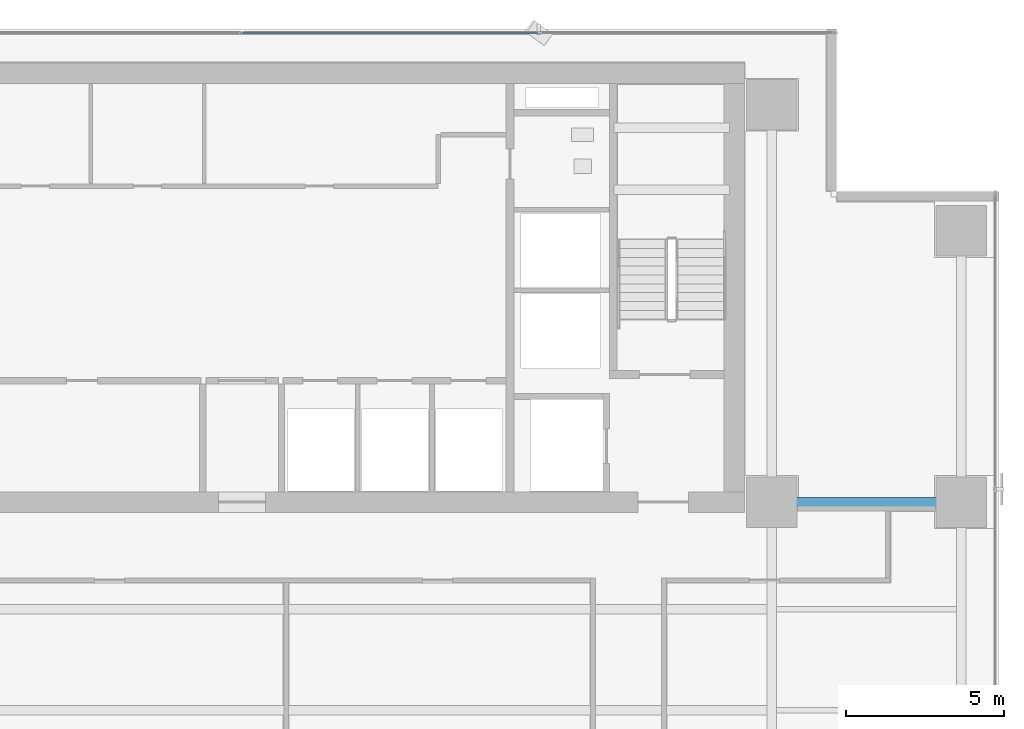
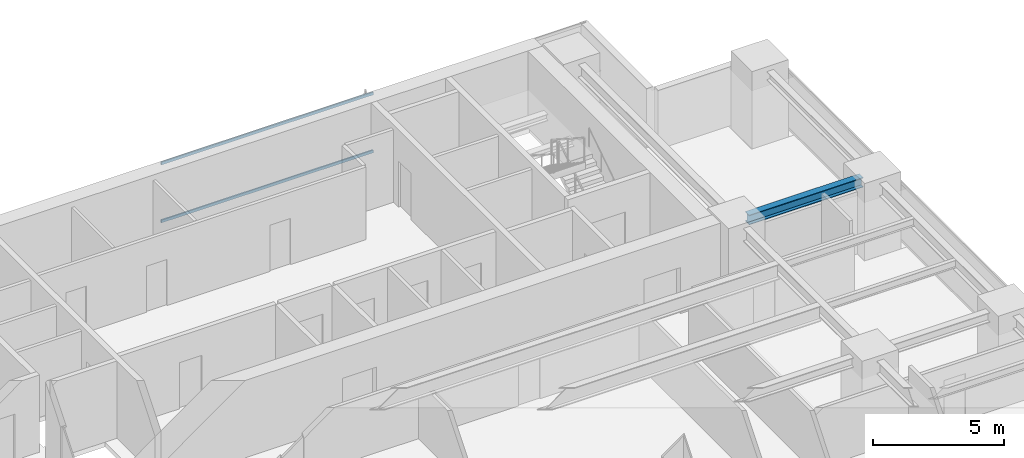
# One storey, part 17 of 28: 2 members, 1 beam, 1 element without a shape of its own.
"""IFC4 building model written with IfcOpenShell, lengths in metres."""

from ifc_helpers import new_model, si_unit, direction, frame, origin, origin_2d, place, context, subcontext, project, spatial, hollow_rectangle, i_section, extrude, source, transform, mapped, material, layer, layer_set, material_profile, profile_set, type_object, element, aggregate, save


model = new_model("IFC4")

# Units and contexts
model_context = context("Model", 3, precision=1e-05, world=origin(), true_north=direction((0.0, 1.0)))
body_context = subcontext(model_context, "Body", "Model", "MODEL_VIEW")
ifc_project = project(units=[si_unit("LENGTHUNIT", "METRE"), si_unit("AREAUNIT", "SQUARE_METRE"), si_unit("VOLUMEUNIT", "CUBIC_METRE"), si_unit("PLANEANGLEUNIT", "RADIAN"), si_unit("MASSUNIT", "GRAM", prefix="KILO")], contexts=[model_context])

# Site, building, storey
site_placement = place(None, origin())
site = spatial("IfcSite", under=ifc_project, at=site_placement, CompositionType="ELEMENT")
building_placement = place(site_placement, origin())
building = spatial("IfcBuilding", under=site, at=building_placement, Name="Sumidabori Civic Tower", CompositionType="ELEMENT")
storey_placement = place(building_placement, frame((0.0, 0.0, 146.0)))
storey = spatial("IfcBuildingStorey", under=building, at=storey_placement, Name="L37", CompositionType="ELEMENT", Elevation=146.0)

# Beam
ifc_material_1 = material(Name="Steel SN490", Category="steel")
ifc_material_profile_1 = material_profile(ifc_material_1, i_section(OverallWidth=0.300048828125, OverallDepth=0.449951171875, WebThickness=0.013916015625, FlangeThickness=0.02587890625, at=origin_2d()), Name="HE 450 B")
ifc_profile_set_1 = profile_set([ifc_material_profile_1], Name="Steel SN490")
beam_type = type_object("IfcBeamType", Name="BM-GIRD-450", PredefinedType="BEAM", material=ifc_profile_set_1)
shared_shape_1 = source(origin(), body_context, "Body", "SweptSolid", [
    extrude(i_section(OverallWidth=0.300048828125, OverallDepth=0.449951171875, WebThickness=0.013916015625, FlangeThickness=0.02587890625, at=origin_2d()), origin(), (0.0, 0.0, 1.0), 5.0400390625),
])
beam_placement = place(storey_placement, frame((17.280029296875, 10.199951171875, 3.155029296875), z_axis=(1.0, 0.0, 0.0), x_axis=(0.0, 1.0, 0.0)))
element("IfcBeam", 1, at=beam_placement, inside=storey, type_object=beam_type, Name="Primary Girder L37 GX-18", PredefinedType="BEAM", context=body_context, shape_type="MappedRepresentation", body=[
    mapped(shared_shape_1, transform((0.0, 0.0, 0.0), x_axis=(1.0, 0.0, 0.0), y_axis=(0.0, 1.0, 0.0), z_axis=(0.0, 0.0, 1.0), scale=1.0)),
])

# Curtain wall, members
ifc_material_2 = material(Name="Anodised Bronze Aluminium AW-6063-T6", Category="aluminium")
ifc_layer = layer(ifc_material_2, 0.179931640625, Name="Anodised Bronze Aluminium AW-6063-T6")
ifc_layer_set = layer_set([ifc_layer], Name="Anodised Bronze Aluminium AW-6063-T6")
curtain_wall_type = type_object("IfcCurtainWallType", Name="CW-SYS-3", PredefinedType="NOTDEFINED", material=ifc_layer_set)
curtain_wall_placement = place(storey_placement, origin())
curtain_wall = element("IfcCurtainWall", 2, at=curtain_wall_placement, inside=storey, type_object=curtain_wall_type, Name="Curtain Wall CW:L37:R07", PredefinedType="NOTDEFINED")
ifc_material_profile_2 = material_profile(ifc_material_2, hollow_rectangle(XDim=0.06005859375, YDim=0.1298828125, WallThickness=0.0048828125, at=origin_2d()), Name="ALU TRANSOM 130x60")
ifc_profile_set_2 = profile_set([ifc_material_profile_2], Name="Anodised Bronze Aluminium AW-6063-T6")
member_type = type_object("IfcMemberType", Name="CW-TRN-130", PredefinedType="USERDEFINED", material=ifc_profile_set_2)
shared_shape_2 = source(origin(), body_context, "Body", "SweptSolid", [
    extrude(hollow_rectangle(XDim=0.06005859375, YDim=0.1298828125, WallThickness=0.0048828125, at=origin_2d()), origin(), (0.0, 0.0, 1.0), 9.344970703125),
])
member_1_placement = place(storey_placement, frame((9.37744140625, 25.080078125, 0.030029296875), z_axis=(-1.0, 0.0, 0.0), x_axis=(0.0, -1.0, 0.0)))
member_1 = element("IfcMember", 3, at=member_1_placement, type_object=member_type, Name="CW-3 transom 2.1", ObjectType="TRANSOM", PredefinedType="USERDEFINED", context=body_context, shape_type="MappedRepresentation", body=[
    mapped(shared_shape_2, transform((0.0, 0.0, 0.0), x_axis=(1.0, 0.0, 0.0), y_axis=(0.0, 1.0, 0.0), z_axis=(0.0, 0.0, 1.0), scale=1.0)),
])
member_2_placement = place(storey_placement, frame((9.37744140625, 25.080078125, 2.72998046875), z_axis=(-1.0, 0.0, 0.0), x_axis=(0.0, -1.0, 0.0)))
member_2 = element("IfcMember", 4, at=member_2_placement, type_object=member_type, Name="CW-3 transom 2.2", ObjectType="TRANSOM", PredefinedType="USERDEFINED", context=body_context, shape_type="MappedRepresentation", body=[
    mapped(shared_shape_2, transform((0.0, 0.0, 0.0), x_axis=(1.0, 0.0, 0.0), y_axis=(0.0, 1.0, 0.0), z_axis=(0.0, 0.0, 1.0), scale=1.0)),
])
aggregate(curtain_wall, [member_1, member_2])

save(model, "model.ifc")
